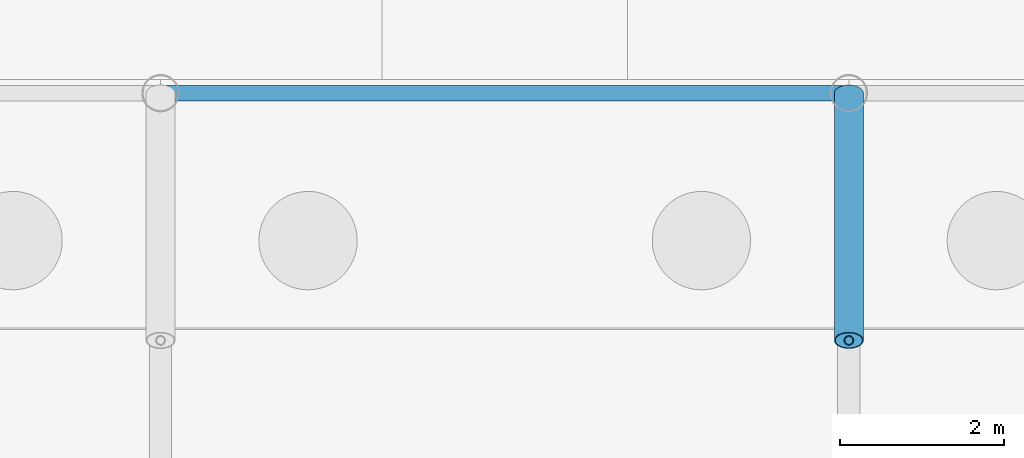
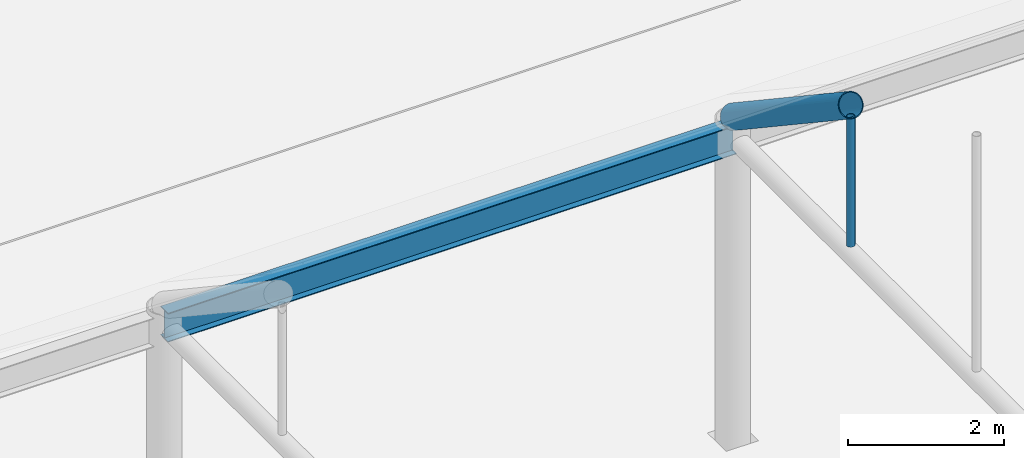
# One storey, part 58 of 212: 2 members, 1 beam.
"""IFC4 building model written with IfcOpenShell, lengths in metres."""

from ifc_helpers import new_model, si_unit, direction, frame, origin, origin_2d, place, context, subcontext, project, spatial, hollow_circle, i_section, extrude, material, material_profile, profile_set, type_object, element, save


model = new_model("IFC4")

# Units and contexts
model_context = context("Model", 3, precision=1e-05, world=origin(), true_north=direction((0.0, 1.0)))
body_context = subcontext(model_context, "Body", "Model", "MODEL_VIEW")
ifc_project = project(units=[si_unit("LENGTHUNIT", "METRE"), si_unit("AREAUNIT", "SQUARE_METRE"), si_unit("VOLUMEUNIT", "CUBIC_METRE"), si_unit("PLANEANGLEUNIT", "RADIAN"), si_unit("MASSUNIT", "GRAM", prefix="KILO")], contexts=[model_context])

# Site, building, storey
site_placement = place(None, origin())
site = spatial("IfcSite", under=ifc_project, at=site_placement, CompositionType="ELEMENT")
building_placement = place(site_placement, origin())
building = spatial("IfcBuilding", under=site, at=building_placement, Name="Catenary Quay Ferry Terminal", CompositionType="ELEMENT")
storey_placement = place(building_placement, origin())
storey = spatial("IfcBuildingStorey", under=building, at=storey_placement, Name="L00", CompositionType="ELEMENT", Elevation=0.0)

# Beam
ifc_material_1 = material(Name="Steel S355", Category="steel")
ifc_material_profile_1 = material_profile(ifc_material_1, i_section(OverallWidth=0.18994140625, OverallDepth=0.453369140625, WebThickness=0.008544921875, FlangeThickness=0.0126953125, at=origin_2d()), Name="UB 457x191x67")
ifc_profile_set_1 = profile_set([ifc_material_profile_1], Name="Steel S355")
beam_type = type_object("IfcBeamType", Name="B1 UB 457x191x67", PredefinedType="BEAM", material=ifc_profile_set_1)
beam_placement = place(storey_placement, frame((42.0, 50.39990234375, 4.699951171875), z_axis=(1.0, 0.0, 0.0), x_axis=(0.0, 1.0, 0.0)))
element("IfcBeam", 1, at=beam_placement, inside=storey, type_object=beam_type, Name="Eaves beam B-CA7-4", PredefinedType="BEAM", context=body_context, shape_type="SweptSolid", body=[
    extrude(i_section(OverallWidth=0.18994140625, OverallDepth=0.453369140625, WebThickness=0.008544921875, FlangeThickness=0.0126953125, at=origin_2d()), origin(), (0.0, 0.0, 1.0), 8.39990234375),
])

# Members
ifc_material_2 = material(Name="Steel S355", Category="steel")
ifc_material_profile_2 = material_profile(ifc_material_2, hollow_circle(Radius=0.05712890625, WallThickness=0.00634765625, at=origin_2d()), Name="CHS 114.3x6.3")
ifc_profile_set_2 = profile_set([ifc_material_profile_2], Name="Steel S355")
member_type_1 = type_object("IfcMemberType", Name="HG1 CHS 114.3x6.3", PredefinedType="POST", material=ifc_profile_set_2)
member_1_placement = place(storey_placement, frame((50.39990234375, 47.382080078125, 4.830078125), z_axis=(0.0, 0.0, 1.0), x_axis=(1.0, 0.0, 0.0)))
element("IfcMember", 2, at=member_1_placement, inside=storey, type_object=member_type_1, Name="Hanger CA-05-09", PredefinedType="POST", context=body_context, shape_type="SweptSolid", body=[
    extrude(hollow_circle(Radius=0.05712890625, WallThickness=0.00634765625, at=origin_2d()), origin(), (0.0, 0.0, 1.0), 2.010986328125),
])
ifc_material_3 = material(Name="Steel S355", Category="steel")
ifc_material_profile_3 = material_profile(ifc_material_3, hollow_circle(Radius=0.177734375, WallThickness=0.012451171875, at=origin_2d()), Name="CHS 355.6x12.5")
ifc_profile_set_3 = profile_set([ifc_material_profile_3], Name="Steel S355")
member_type_2 = type_object("IfcMemberType", Name="VR1 CHS 355.6x12.5", PredefinedType="RAFTER", material=ifc_profile_set_3)
member_2_placement = place(storey_placement, frame((50.39990234375, 47.382080078125, 7.012939453125), z_axis=(0.0, 0.831915666545, -0.554902084837), x_axis=(-1.0, 0.0, 0.0)))
element("IfcMember", 3, at=member_2_placement, inside=storey, type_object=member_type_2, Name="rib CA-05-10", PredefinedType="RAFTER", context=body_context, shape_type="SweptSolid", body=[
    extrude(hollow_circle(Radius=0.177734375, WallThickness=0.012451171875, at=origin_2d()), origin(), (0.0, 0.0, 1.0), 3.62744140625),
])

save(model, "model.ifc")
